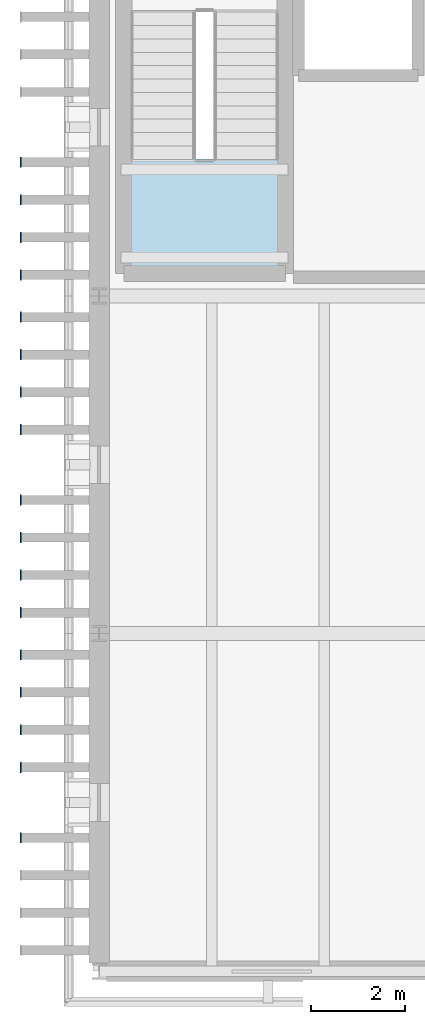
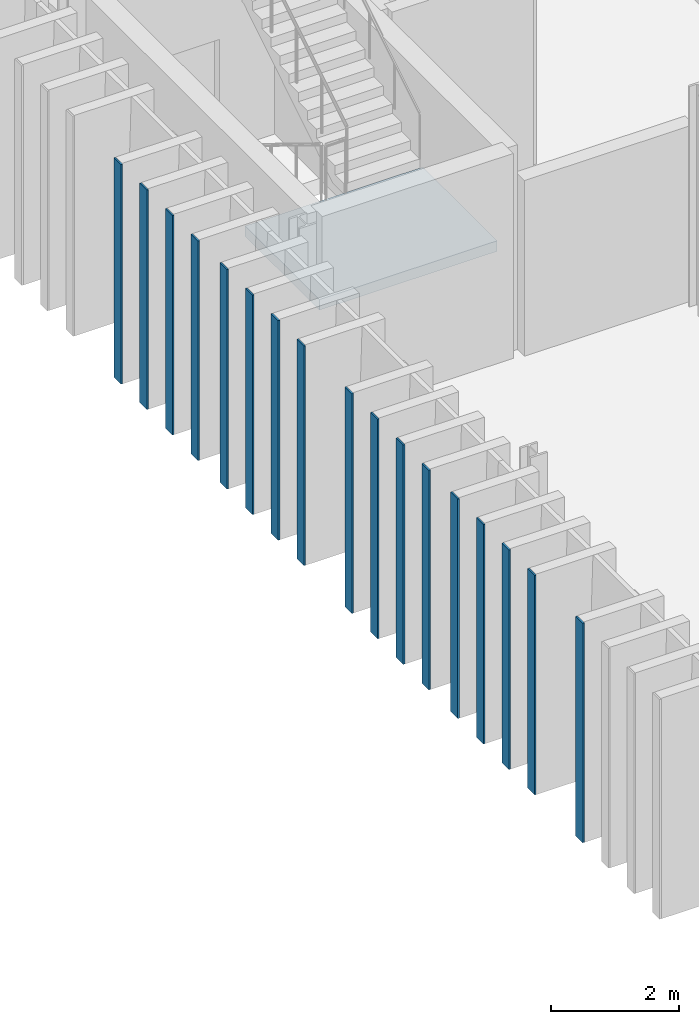
# One storey, part 45 of 115: 17 plates, 1 slab, 1 element without a shape of its own.
"""IFC4 building model written with IfcOpenShell, lengths in metres."""

import ifcopenshell
import ifcopenshell.guid

model = None  # the IFC model being written
_history = None  # IfcOwnerHistory: only IFC2X3 demands one
_inside = {}  # id of a spatial element -> (the spatial element, [elements in it])
_under = {}  # id of a project, library or spatial element -> (it, [spatial elements below it])
_declared = {}  # id of a project -> (the project, [libraries it declares])
_typed = {}  # id of a type object -> (the type object, [elements of that type])
_made_of = {}  # id of a material, layer set ... -> (it, [elements and type objects made of it])


def new_model(schema):
    """Start an empty IFC model of exactly this schema.

    Asked for "IFC4X3", IfcOpenShell would pick the latest addendum, in which some entities
    have other attributes; the version numbers below select the first issue.
    IFC2X3 requires an IfcOwnerHistory on every rooted entity: one is made here for all.
    """
    global model, _history
    if schema == "IFC4X3":
        model = ifcopenshell.file(schema_version=(4, 3, 0, 0))
    else:
        model = ifcopenshell.file(schema=schema)
    _inside.clear()
    _under.clear()
    _declared.clear()
    _typed.clear()
    _made_of.clear()
    _history = None
    if model.schema == "IFC2X3":
        org = make("IfcOrganization", Name="unknown")
        user = make(
            "IfcPersonAndOrganization",
            ThePerson=make("IfcPerson", FamilyName="unknown"),
            TheOrganization=org,
        )
        app = make(
            "IfcApplication",
            ApplicationDeveloper=org,
            Version="unknown",
            ApplicationFullName="unknown",
            ApplicationIdentifier="unknown",
        )
        _history = make(
            "IfcOwnerHistory",
            OwningUser=user,
            OwningApplication=app,
            ChangeAction="ADDED",
            CreationDate=0,
        )
    return model


def make(cls, **values):
    """One entity of the class cls with the attributes given. An attribute that is None is left unset."""
    return model.create_entity(
        cls, **{name: value for name, value in values.items() if value is not None}
    )


def rooted(cls, **values):
    """An entity with a GlobalId (a new one), such as an element, a storey or a relation."""
    return make(cls, GlobalId=ifcopenshell.guid.new(), OwnerHistory=_history, **values)


def si_unit(unit_type, name, prefix=None):
    """IfcSIUnit, for example si_unit("LENGTHUNIT", "METRE", prefix="MILLI")."""
    return make("IfcSIUnit", UnitType=unit_type, Prefix=prefix, Name=name)


def assignment(units):
    """IfcUnitAssignment: the units of a project."""
    return None if units is None else make("IfcUnitAssignment", Units=units)


def point(xyz):
    """IfcCartesianPoint."""
    return None if xyz is None else make("IfcCartesianPoint", Coordinates=xyz)


def direction(xyz):
    """IfcDirection."""
    return None if xyz is None else make("IfcDirection", DirectionRatios=xyz)


def frame(location, z_axis=None, x_axis=None):
    """IfcAxis2Placement3D, a coordinate frame: its origin and axes. An axis left out is left unset."""
    return make(
        "IfcAxis2Placement3D",
        Location=point(location),
        Axis=direction(z_axis),
        RefDirection=direction(x_axis),
    )


def frame_2d(location, x_axis=None):
    """IfcAxis2Placement2D, a coordinate frame in the plane: its origin and x axis."""
    return make(
        "IfcAxis2Placement2D", Location=point(location), RefDirection=direction(x_axis)
    )


def origin():
    """The frame at (0, 0, 0) with its axes left unset."""
    return frame((0.0, 0.0, 0.0))


def origin_2d():
    """The frame at (0, 0) in the plane with its x axis left unset."""
    return frame_2d((0.0, 0.0))


def place(relative_to, where):
    """IfcLocalPlacement: puts the frame where relative to a parent placement (None: the world)."""
    return make(
        "IfcLocalPlacement", PlacementRelTo=relative_to, RelativePlacement=where
    )


def context(
    kind, dimensions, precision=None, world=None, true_north=None, identifier=None
):
    """IfcGeometricRepresentationContext, for example the 3D "Model" context."""
    return make(
        "IfcGeometricRepresentationContext",
        ContextIdentifier=identifier,
        ContextType=kind,
        CoordinateSpaceDimension=dimensions,
        Precision=precision,
        WorldCoordinateSystem=world,
        TrueNorth=true_north,
    )


def subcontext(parent, identifier, kind, view, scale=None):
    """IfcGeometricRepresentationSubContext, for example "Body" below "Model"."""
    return make(
        "IfcGeometricRepresentationSubContext",
        ContextIdentifier=identifier,
        ContextType=kind,
        ParentContext=parent,
        TargetScale=scale,
        TargetView=view,
    )


def project(units=None, contexts=None):
    """IfcProject with its units and contexts."""
    return rooted(
        "IfcProject",
        Name="project",
        RepresentationContexts=contexts,
        UnitsInContext=assignment(units),
    )


def spatial(cls, under=None, at=None, **own):
    """A site, building, storey or space (cls), placed at a placement, below another one or the project."""
    s = rooted(cls, ObjectPlacement=at, **own)
    if under is not None:
        _under.setdefault(under.id(), (under, []))[1].append(s)
    return s


def polyline(points):
    """IfcPolyline through the points."""
    return make("IfcPolyline", Points=[point(p) for p in points])


def profile(cls, at=None, kind="AREA", **sizes):
    """A parametric profile (cls). Its sizes go by their IFC names, for example OverallWidth=200.0."""
    return make(cls, ProfileType=kind, Position=at, **sizes)


def rectangle(**sizes):
    """IfcRectangleProfileDef."""
    return profile("IfcRectangleProfileDef", **sizes)


def outline(outer, holes=None, kind="AREA"):
    """IfcArbitraryClosedProfileDef: a profile drawn as a closed curve; with holes, ...WithVoids."""
    if holes is None:
        return make("IfcArbitraryClosedProfileDef", ProfileType=kind, OuterCurve=outer)
    return make(
        "IfcArbitraryProfileDefWithVoids",
        ProfileType=kind,
        OuterCurve=outer,
        InnerCurves=holes,
    )


def extrude(swept, where, along, depth):
    """IfcExtrudedAreaSolid: the profile swept, set in the frame where, extruded along a direction by depth."""
    return make(
        "IfcExtrudedAreaSolid",
        SweptArea=swept,
        Position=where,
        ExtrudedDirection=direction(along),
        Depth=depth,
    )


def shape(context_of_items, identifier, shape_type, items):
    """IfcShapeRepresentation: the items that make up one representation, for example the "Body"."""
    return make(
        "IfcShapeRepresentation",
        ContextOfItems=context_of_items,
        RepresentationIdentifier=identifier,
        RepresentationType=shape_type,
        Items=items,
    )


def material(Name=None, Category=None):
    """IfcMaterial."""
    return make("IfcMaterial", Name=Name, Category=Category)


def layer(
    of_material, thickness, ventilated=None, Name=None, Category=None, Priority=None
):
    """IfcMaterialLayer: one layer of a wall or slab, of a material (None: an air gap)."""
    return make(
        "IfcMaterialLayer",
        Material=of_material,
        LayerThickness=thickness,
        IsVentilated=ventilated,
        Name=Name,
        Category=Category,
        Priority=Priority,
    )


def layer_set(layers, Name=None):
    """IfcMaterialLayerSet."""
    return make("IfcMaterialLayerSet", MaterialLayers=layers, LayerSetName=Name)


def made_of(thing, what):
    """Note that an element or type object is made of a material, layer set ...; save() writes the relation."""
    if what is not None:
        _made_of.setdefault(what.id(), (what, []))[1].append(thing)
    return thing


def type_object(cls, material=None, **own):
    """A type object (cls), such as IfcWallType, which elements share."""
    return made_of(rooted(cls, **own), material)


def element(
    cls,
    number,
    at=None,
    inside=None,
    cuts=None,
    type_object=None,
    material=None,
    context=None,
    identifier="Body",
    shape_type=None,
    held_by="IfcProductDefinitionShape",
    body=None,
    shapes=None,
    **own,
):
    """One element of the class cls, such as IfcWall. Its Tag is "e" and its number.

    at: its placement. inside: the storey or other place that contains it. cuts: it is an
    opening in that element (IfcRelVoidsElement). A single representation is given by context,
    identifier, shape_type and body (its items); several are given by shapes. held_by: the class
    of the entity that holds the representations. save() writes the other relations.
    """
    e = rooted(cls, Tag="e%d" % number, ObjectPlacement=at, **own)
    if body is not None:
        shapes = [shape(context, identifier, shape_type, body)]
    if shapes is not None:
        e.Representation = make(held_by, Representations=shapes)
    if inside is not None:
        _inside.setdefault(inside.id(), (inside, []))[1].append(e)
    if cuts is not None:
        rooted(
            "IfcRelVoidsElement", RelatingBuildingElement=cuts, RelatedOpeningElement=e
        )
    if type_object is not None:
        _typed.setdefault(type_object.id(), (type_object, []))[1].append(e)
    return made_of(e, material)


def aggregate(whole, parts):
    """IfcRelAggregates: a whole, such as a stair, and the parts it consists of."""
    return rooted("IfcRelAggregates", RelatingObject=whole, RelatedObjects=parts)


def save(model, path):
    """Write the relations noted so far, then the file.

    IfcRelAggregates (storeys below a building ...), IfcRelContainedInSpatialStructure (elements
    in a storey), IfcRelDefinesByType, IfcRelAssociatesMaterial and IfcRelDeclares: one each for
    every whole, place, type object, material and project.
    """
    for whole, parts in _under.values():
        aggregate(whole, parts)
    for where, things in _inside.values():
        rooted(
            "IfcRelContainedInSpatialStructure",
            RelatedElements=things,
            RelatingStructure=where,
        )
    for kind, things in _typed.values():
        rooted("IfcRelDefinesByType", RelatedObjects=things, RelatingType=kind)
    for what, things in _made_of.values():
        rooted("IfcRelAssociatesMaterial", RelatedObjects=things, RelatingMaterial=what)
    for by, libraries in _declared.values():
        rooted("IfcRelDeclares", RelatingContext=by, RelatedDefinitions=libraries)
    model.write(path)


model = new_model("IFC4")

# Units and contexts
model_context = context("Model", 3, precision=1e-05, world=origin(), true_north=direction((0.0, 1.0)))
body_context = subcontext(model_context, "Body", "Model", "MODEL_VIEW")
ifc_project = project(units=[si_unit("LENGTHUNIT", "METRE"), si_unit("AREAUNIT", "SQUARE_METRE"), si_unit("VOLUMEUNIT", "CUBIC_METRE"), si_unit("PLANEANGLEUNIT", "RADIAN"), si_unit("MASSUNIT", "GRAM", prefix="KILO")], contexts=[model_context])

# Site, building, storey
site_placement = place(None, origin())
site = spatial("IfcSite", under=ifc_project, at=site_placement, CompositionType="ELEMENT")
building_placement = place(site_placement, origin())
building = spatial("IfcBuilding", under=site, at=building_placement, Name="Narikvali Park Central Library", CompositionType="ELEMENT")
storey_placement = place(building_placement, frame((0.0, 0.0, 10.199951171875)))
storey = spatial("IfcBuildingStorey", under=building, at=storey_placement, Name="L02", CompositionType="ELEMENT", Elevation=10.199951171875)

# Stair, slab
ifc_material_1 = material(Name="Concrete C35/45", Category="concrete")
stair_type = type_object("IfcStairType", Name="Core Enclosed Two-Flight Exit Stair", PredefinedType="HALF_TURN_STAIR", material=ifc_material_1)
stair_placement = place(storey_placement, origin())
stair = element("IfcStair", 1, at=stair_placement, inside=storey, type_object=stair_type, Name="L02 Exit Stair ST-09", PredefinedType="HALF_TURN_STAIR")
ifc_layer_1 = layer(ifc_material_1, 0.199951171875, Name="Concrete C35/45")
ifc_layer_set_1 = layer_set([ifc_layer_1], Name="Concrete C35/45")
slab_type = type_object("IfcSlabType", Name="Stair Half-Landing Concrete Slab 200", PredefinedType="LANDING", material=ifc_layer_set_1)
slab_placement = place(storey_placement, frame((0.0, 0.0, 1.900146484375)))
slab = element("IfcSlab", 2, at=slab_placement, type_object=slab_type, Name="ST-09 landing 1", PredefinedType="LANDING", context=body_context, shape_type="SweptSolid", body=[
    extrude(outline(polyline([(0.64990234375, 46.114990234375), (0.64990234375, 43.800048828125), (3.85009765625, 43.800048828125), (3.85009765625, 46.114990234375), (0.64990234375, 46.114990234375)])), origin(), (0.0, 0.0, 1.0), 0.199951171875),
])
aggregate(stair, [slab])

# Plates
ifc_material_2 = material(Name="Anodised Bronze Aluminium", Category="aluminium")
ifc_layer_2 = layer(ifc_material_2, 0.028076171875, Name="Anodised Bronze Aluminium")
ifc_layer_set_2 = layer_set([ifc_layer_2], Name="Anodised Bronze Aluminium")
plate_type = type_object("IfcPlateType", Name="Vertical Brick Fin Bronze Bullnose Cap 28", PredefinedType="SHEET", material=ifc_layer_set_2)
for number, where, z_axis, x_axis, name in (
    (3, (-1.672119140625, 31.64990234375, 0.01025390625), (0.0, 0.0, 1.0), (1.0, 0.0, 0.0), "West Stacks Fin Bullnose Trim 015"),
    (4, (-1.672119140625, 33.14990234375, 0.01025390625), (0.0, 0.0, 1.0), (1.0, 0.0, 0.0), "West Stacks Fin Bullnose Trim 019"),
    (5, (-1.672119140625, 33.949951171875, 0.01025390625), (0.0, 0.0, 1.0), (1.0, 0.0, 0.0), "West Stacks Fin Bullnose Trim 023"),
    (6, (-1.672119140625, 34.75, 0.01025390625), (0.0, 0.0, 1.0), (1.0, 0.0, 0.0), "West Stacks Fin Bullnose Trim 027"),
    (7, (-1.672119140625, 35.550048828125, 0.01025390625), (0.0, 0.0, 1.0), (1.0, 0.0, 0.0), "West Stacks Fin Bullnose Trim 031"),
    (8, (-1.672119140625, 36.449951171875, 0.01025390625), (0.0, 0.0, 1.0), (1.0, 0.0, 0.0), "West Stacks Fin Bullnose Trim 035"),
    (9, (-1.672119140625, 37.25, 0.01025390625), (0.0, 0.0, 1.0), (1.0, 0.0, 0.0), "West Stacks Fin Bullnose Trim 040"),
    (10, (-1.672119140625, 38.050048828125, 0.01025390625), (0.0, 0.0, 1.0), (1.0, 0.0, 0.0), "West Stacks Fin Bullnose Trim 045"),
    (11, (-1.672119140625, 38.85009765625, 0.01025390625), (0.0, 0.0, 1.0), (1.0, 0.0, 0.0), "West Stacks Fin Bullnose Trim 050"),
    (12, (-1.672119140625, 40.35009765625, 0.01025390625), (0.0, 0.0, 1.0), (1.0, 0.0, 0.0), "West Stacks Fin Bullnose Trim 055"),
    (13, (-1.672119140625, 41.14990234375, 0.01025390625), (0.0, 0.0, 1.0), (1.0, 0.0, 0.0), "West Stacks Fin Bullnose Trim 060"),
    (14, (-1.672119140625, 41.949951171875, 0.01025390625), (0.0, 0.0, 1.0), (1.0, 0.0, 0.0), "West Stacks Fin Bullnose Trim 065"),
    (15, (-1.672119140625, 42.75, 0.01025390625), (0.0, 0.0, 1.0), (1.0, 0.0, 0.0), "West Stacks Fin Bullnose Trim 070"),
    (16, (-1.672119140625, 43.64990234375, 0.01025390625), (0.0, 0.0, 1.0), (1.0, 0.0, 0.0), "West Stacks Fin Bullnose Trim 075"),
    (17, (-1.672119140625, 44.449951171875, 0.01025390625), (0.0, 0.0, 1.0), (1.0, 0.0, 0.0), "West Stacks Fin Bullnose Trim 081"),
    (18, (-1.672119140625, 45.25, 0.01025390625), (0.0, 0.0, 1.0), (1.0, 0.0, 0.0), "West Stacks Fin Bullnose Trim 087"),
    (19, (-1.672119140625, 46.050048828125, 0.01025390625), (0.0, 0.0, 1.0), (1.0, 0.0, 0.0), "West Stacks Fin Bullnose Trim 093"),
):
    element("IfcPlate", number, at=place(storey_placement, frame(where, z_axis=z_axis, x_axis=x_axis)), inside=storey, type_object=plate_type, Name=name, PredefinedType="SHEET", context=body_context, shape_type="SweptSolid", body=[
        extrude(rectangle(XDim=0.028076171875, YDim=0.219970703125, at=origin_2d()), origin(), (0.0, 0.0, 1.0), 4.179931640625),
    ])

save(model, "model.ifc")
